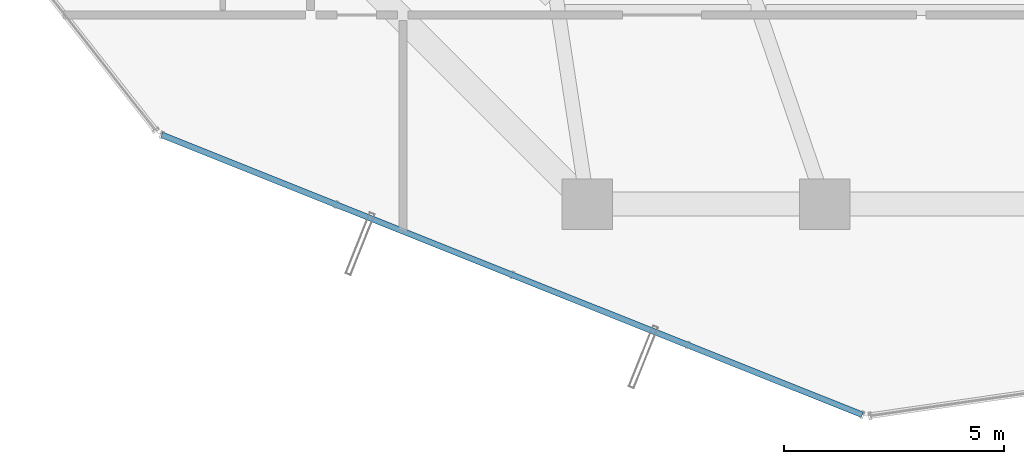
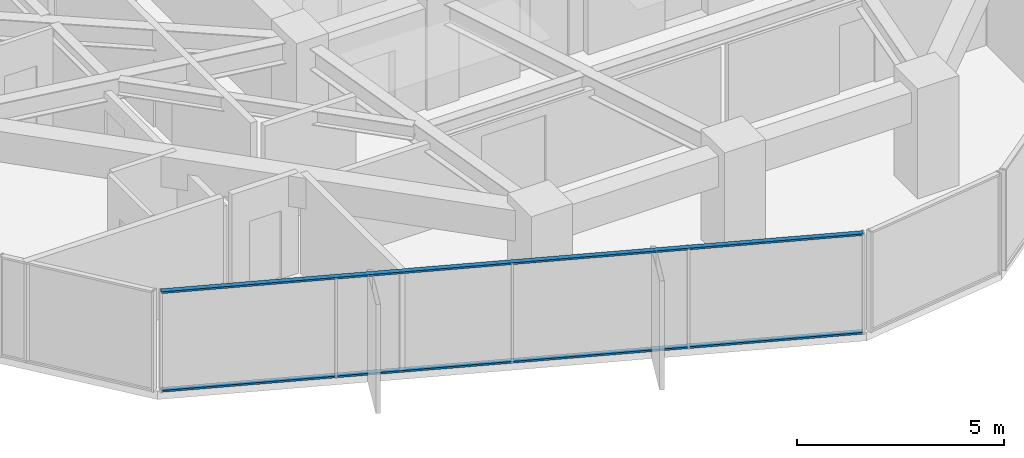
# One storey, part 3 of 34: 2 members, 1 element without a shape of its own.
"""IFC4 building model written with IfcOpenShell, lengths in metres."""

from ifc_helpers import new_model, si_unit, direction, frame, origin, origin_2d, place, context, subcontext, project, spatial, hollow_rectangle, extrude, source, transform, mapped, material, layer, layer_set, material_profile, profile_set, type_object, element, aggregate, save


model = new_model("IFC4")

# Units and contexts
model_context = context("Model", 3, precision=1e-05, world=origin(), true_north=direction((0.0, 1.0)))
body_context = subcontext(model_context, "Body", "Model", "MODEL_VIEW")
ifc_project = project(units=[si_unit("LENGTHUNIT", "METRE"), si_unit("AREAUNIT", "SQUARE_METRE"), si_unit("VOLUMEUNIT", "CUBIC_METRE"), si_unit("PLANEANGLEUNIT", "RADIAN"), si_unit("MASSUNIT", "GRAM", prefix="KILO")], contexts=[model_context])

# Site, building, storey
site_placement = place(None, origin())
site = spatial("IfcSite", under=ifc_project, at=site_placement, CompositionType="ELEMENT")
building_placement = place(site_placement, origin())
building = spatial("IfcBuilding", under=site, at=building_placement, Name="Veraguas Prism Commons", CompositionType="ELEMENT")
storey_placement = place(building_placement, frame((0.0, 0.0, 155.5)))
storey = spatial("IfcBuildingStorey", under=building, at=storey_placement, Name="L44", CompositionType="ELEMENT", Elevation=155.5)

# Curtain wall, members
ifc_material = material(Name="Anodised aluminium EN AW-6063 T6", Category="aluminium")
ifc_layer = layer(ifc_material, 0.169921875, Name="Unitised Flush Curtain Wall Zone 2", Category="aluminium")
ifc_layer_set = layer_set([ifc_layer], Name="Anodised aluminium EN AW-6063 T6")
curtain_wall_type = type_object("IfcCurtainWallType", Name="Unitised Flush Curtain Wall Zone 2", PredefinedType="NOTDEFINED", material=ifc_layer_set)
curtain_wall_placement = place(storey_placement, origin())
curtain_wall = element("IfcCurtainWall", 1, at=curtain_wall_placement, inside=storey, type_object=curtain_wall_type, Name="Tower Facade Curtain Wall L44-F4", PredefinedType="NOTDEFINED")
ifc_material_profile = material_profile(ifc_material, hollow_rectangle(XDim=0.054931640625, YDim=0.135009765625, WallThickness=0.0029296875, at=origin_2d()), Name="AL55X135X3")
ifc_profile_set = profile_set([ifc_material_profile], Name="Anodised aluminium EN AW-6063 T6")
member_type = type_object("IfcMemberType", Name="Curtain Wall Transom Standard AL 55x135x3", PredefinedType="USERDEFINED", material=ifc_profile_set)
shared_shape = source(origin(), body_context, "Body", "SweptSolid", [
    extrude(hollow_rectangle(XDim=0.054931640625, YDim=0.135009765625, WallThickness=0.0029296875, at=origin_2d()), origin(), (0.0, 0.0, 1.0), 17.17431640625),
])
member_1_placement = place(storey_placement, frame((8.908203125, 9.373046875, 0.027587890625), z_axis=(0.928618776531, -0.371035265002, 0.0), x_axis=(0.0, 0.0, 1.0)))
member_1 = element("IfcMember", 2, at=member_1_placement, type_object=member_type, Name="CW-Z2 Transom 1", ObjectType="TRANSOM", PredefinedType="USERDEFINED", context=body_context, shape_type="MappedRepresentation", body=[
    mapped(shared_shape, transform((0.0, 0.0, 0.0), scale=1.0)),
])
member_2_placement = place(storey_placement, frame((8.908203125, 9.373046875, 2.9423828125), z_axis=(0.928618776531, -0.371035265002, 0.0), x_axis=(0.0, 0.0, 1.0)))
member_2 = element("IfcMember", 3, at=member_2_placement, type_object=member_type, Name="CW-Z2 Transom 2", ObjectType="TRANSOM", PredefinedType="USERDEFINED", context=body_context, shape_type="MappedRepresentation", body=[
    mapped(shared_shape, transform((0.0, 0.0, 0.0), scale=1.0)),
])
aggregate(curtain_wall, [member_1, member_2])

save(model, "model.ifc")
